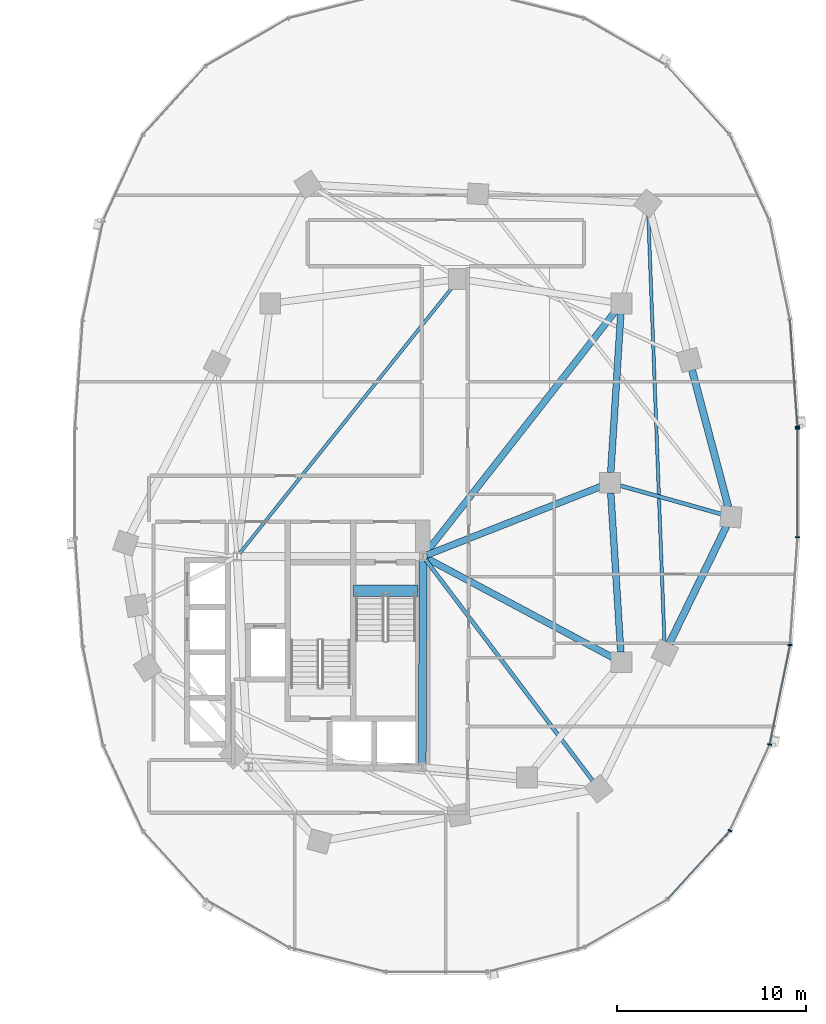
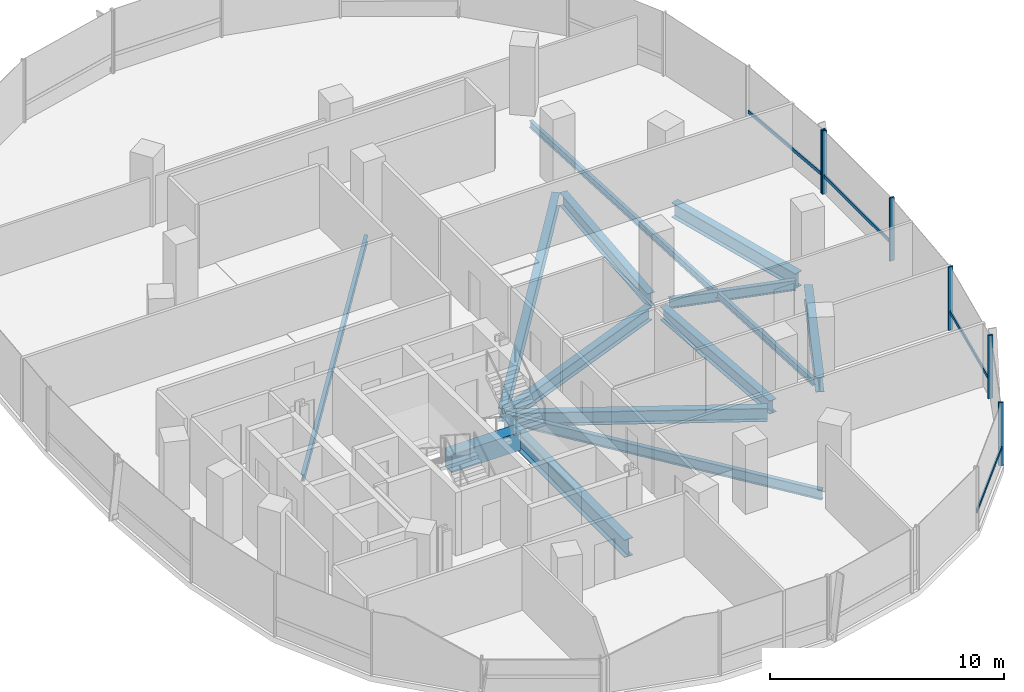
# One storey, part 6 of 21: 13 beams, 10 members, 2 elements without a shape of their own.
"""IFC4 building model written with IfcOpenShell, lengths in metres."""

from ifc_helpers import new_model, si_unit, direction, frame, origin, origin_2d, place, context, subcontext, project, spatial, rectangle, i_section, extrude, material, material_profile, profile_set, type_object, element, aggregate, save


model = new_model("IFC4")

# Units and contexts
model_context = context("Model", 3, precision=1e-05, world=origin(), true_north=direction((0.0, 1.0)))
body_context = subcontext(model_context, "Body", "Model", "MODEL_VIEW")
ifc_project = project(units=[si_unit("LENGTHUNIT", "METRE"), si_unit("AREAUNIT", "SQUARE_METRE"), si_unit("VOLUMEUNIT", "CUBIC_METRE"), si_unit("PLANEANGLEUNIT", "RADIAN"), si_unit("MASSUNIT", "GRAM", prefix="KILO"), si_unit("THERMODYNAMICTEMPERATUREUNIT", "KELVIN"), si_unit("POWERUNIT", "WATT")], contexts=[model_context])

# Site, building, storey
site_placement = place(None, origin())
site = spatial("IfcSite", under=ifc_project, at=site_placement, CompositionType="ELEMENT")
building_placement = place(site_placement, origin())
building = spatial("IfcBuilding", under=site, at=building_placement, Name="Cundina Bronze Exchange", CompositionType="ELEMENT")
storey_placement = place(building_placement, frame((0.0, 0.0, 114.199951171875)))
storey = spatial("IfcBuildingStorey", under=building, at=storey_placement, Name="L29", CompositionType="ELEMENT", Elevation=114.199951171875)

# Beams
ifc_material_1 = material(Name="Concrete C60/75", Category="concrete")
ifc_material_profile_1 = material_profile(ifc_material_1, rectangle(XDim=0.60009765625, YDim=0.949951171875, at=origin_2d()), Name="RC600X950", Category="concrete")
ifc_profile_set_1 = profile_set([ifc_material_profile_1], Name="Concrete C60/75")
beam_type_1 = type_object("IfcBeamType", Name="BM-COUP-RC950", PredefinedType="LINTEL", material=ifc_profile_set_1)
beam_1_placement = place(storey_placement, frame((27.6201171875, -5.719970703125, -0.474853515625), z_axis=(1.0, 0.0, 0.0), x_axis=(0.0, 1.0, 0.0)))
element("IfcBeam", 1, at=beam_1_placement, inside=storey, type_object=beam_type_1, Name="L29 Stair E1 Landing Header Beam", PredefinedType="LINTEL", context=body_context, shape_type="SweptSolid", body=[
    extrude(rectangle(XDim=0.60009765625, YDim=0.949951171875, at=origin_2d()), origin(), (0.0, 0.0, 1.0), 3.39990234375),
])
ifc_material_2 = material(Name="Steel ASTM A992 Grade 50", Category="steel")
ifc_material_profile_2 = material_profile(ifc_material_2, i_section(OverallWidth=0.2099609375, OverallDepth=0.532958984375, WebThickness=0.01025390625, FlangeThickness=0.015625, FilletRadius=0.013916015625, at=origin_2d()), Name="W21X62", Category="steel")
ifc_profile_set_2 = profile_set([ifc_material_profile_2], Name="Steel ASTM A992 Grade 50")
beam_type_2 = type_object("IfcBeamType", Name="BM-FLR-W21B", PredefinedType="BEAM", material=ifc_profile_set_2)
beam_2_placement = place(storey_placement, frame((31.423095703125, -4.062744140625, -0.56640625), z_axis=(0.603095885041, -0.797668699052, 0.0), x_axis=(0.797668699052, 0.603095885041, 0.0)))
element("IfcBeam", 2, at=beam_2_placement, inside=storey, type_object=beam_type_2, Name="L29 Leg E Chordal Floor Beam 06", PredefinedType="BEAM", context=body_context, shape_type="SweptSolid", body=[
    extrude(i_section(OverallWidth=0.2099609375, OverallDepth=0.532958984375, WebThickness=0.01025390625, FlangeThickness=0.015625, FilletRadius=0.013916015625, at=origin_2d()), origin(), (0.0, 0.0, 1.0), 14.677978515625),
])
beam_3_placement = place(storey_placement, frame((41.718017578125, -0.145751953125, -0.56640625), z_axis=(0.962654865541, -0.270731619598, 0.0), x_axis=(0.270731619598, 0.962654865541, 0.0)))
element("IfcBeam", 3, at=beam_3_placement, inside=storey, type_object=beam_type_2, Name="L29 Leg E Chordal Floor Beam 08", PredefinedType="BEAM", context=body_context, shape_type="SweptSolid", body=[
    extrude(i_section(OverallWidth=0.2099609375, OverallDepth=0.532958984375, WebThickness=0.01025390625, FlangeThickness=0.015625, FilletRadius=0.013916015625, at=origin_2d()), origin(), (0.0, 0.0, 1.0), 5.572021484375),
])
ifc_material_profile_3 = material_profile(ifc_material_2, i_section(OverallWidth=0.172119140625, OverallDepth=0.35791015625, WebThickness=0.0078125, FlangeThickness=0.01318359375, FilletRadius=0.010009765625, at=origin_2d()), Name="W14X38", Category="steel")
ifc_profile_set_3 = profile_set([ifc_material_profile_3], Name="Steel ASTM A992 Grade 50")
beam_type_3 = type_object("IfcBeamType", Name="BM-JST-W14", PredefinedType="JOIST", material=ifc_profile_set_3)
beam_4_placement = place(storey_placement, frame((21.577392578125, -3.740478515625, -0.47900390625), z_axis=(0.62436887964, 0.781129632095, 0.0), x_axis=(-0.781129632095, 0.62436887964, 0.0)))
element("IfcBeam", 4, at=beam_4_placement, inside=storey, type_object=beam_type_3, Name="L29 E Interior Core-to-Ring Joist 2", PredefinedType="JOIST", context=body_context, shape_type="SweptSolid", body=[
    extrude(i_section(OverallWidth=0.172119140625, OverallDepth=0.35791015625, WebThickness=0.0078125, FlangeThickness=0.01318359375, FilletRadius=0.010009765625, at=origin_2d()), origin(), (0.0, 0.0, 1.0), 18.076904296875),
])
beam_5_placement = place(storey_placement, frame((44.07958984375, -8.46240234375, -0.47900390625), z_axis=(-0.03778951385, 0.999285721224, 0.0), x_axis=(-0.999285721224, -0.03778951385, 0.0)))
element("IfcBeam", 5, at=beam_5_placement, inside=storey, type_object=beam_type_3, Name="L29 Leg E Lobe Floor Joist 07-10", PredefinedType="JOIST", context=body_context, shape_type="SweptSolid", body=[
    extrude(i_section(OverallWidth=0.172119140625, OverallDepth=0.35791015625, WebThickness=0.0078125, FlangeThickness=0.01318359375, FilletRadius=0.010009765625, at=origin_2d()), origin(), (0.0, 0.0, 1.0), 22.7412109375),
])
ifc_material_profile_4 = material_profile(ifc_material_2, i_section(OverallWidth=0.35498046875, OverallDepth=0.695068359375, WebThickness=0.015380859375, FlangeThickness=0.02490234375, FilletRadius=0.01806640625, at=origin_2d()), Name="W27X146", Category="steel")
ifc_profile_set_4 = profile_set([ifc_material_profile_4], Name="Steel ASTM A992 Grade 50")
beam_type_4 = type_object("IfcBeamType", Name="BM-RING-W27", PredefinedType="USERDEFINED", material=ifc_profile_set_4)
for number, where, z_axis, x_axis, name in (
    (6, (41.76611328125, -8.963134765625, -0.6474609375), (-0.06303715519, 0.998011180832, 0.0), (-0.998011180832, -0.06303715519, 0.0), "L29 E Inner Structural Ring Girder 03"),
    (7, (41.23388671875, 0.536865234375, -0.6474609375), (0.06303715519, 0.998011180832, 0.0), (-0.998011180832, 0.06303715519, 0.0), "L29 E Inner Structural Ring Girder 04"),
):
    element("IfcBeam", number, at=place(storey_placement, frame(where, z_axis=z_axis, x_axis=x_axis)), inside=storey, type_object=beam_type_4, Name=name, ObjectType="GIRDER", PredefinedType="USERDEFINED", context=body_context, shape_type="SweptSolid", body=[
        extrude(i_section(OverallWidth=0.35498046875, OverallDepth=0.695068359375, WebThickness=0.015380859375, FlangeThickness=0.02490234375, FilletRadius=0.01806640625, at=origin_2d()), origin(), (0.0, 0.0, 1.0), 8.443115234375),
    ])
beam_6_placement = place(storey_placement, frame((31.48974609375, -3.8251953125, -0.6474609375), z_axis=(0.930413235418, 0.366512225388, 0.0), x_axis=(-0.366512225388, 0.930413235418, 0.0)))
element("IfcBeam", 8, at=beam_6_placement, inside=storey, type_object=beam_type_4, Name="L29 E Core-to-Waist Tie Beam 1", ObjectType="GIRDER", PredefinedType="USERDEFINED", context=body_context, shape_type="SweptSolid", body=[
    extrude(i_section(OverallWidth=0.35498046875, OverallDepth=0.695068359375, WebThickness=0.015380859375, FlangeThickness=0.02490234375, FilletRadius=0.01806640625, at=origin_2d()), origin(), (0.0, 0.0, 1.0), 9.8984375),
])
beam_7_placement = place(storey_placement, frame((31.47998046875, -3.99609375, -0.6474609375), z_axis=(0.882354758239, -0.470584828286, 0.0), x_axis=(0.470584828286, 0.882354758239, 0.0)))
element("IfcBeam", 9, at=beam_7_placement, inside=storey, type_object=beam_type_4, Name="L29 E Core-to-Waist Tie Beam 2", ObjectType="GIRDER", PredefinedType="USERDEFINED", context=body_context, shape_type="SweptSolid", body=[
    extrude(i_section(OverallWidth=0.35498046875, OverallDepth=0.695068359375, WebThickness=0.015380859375, FlangeThickness=0.02490234375, FilletRadius=0.01806640625, at=origin_2d()), origin(), (0.0, 0.0, 1.0), 11.157958984375),
])
beam_8_placement = place(storey_placement, frame((31.42578125, -3.739501953125, -0.6474609375), z_axis=(0.616789275748, 0.787128318206, 0.0), x_axis=(-0.787128318206, 0.616789275748, 0.0)))
element("IfcBeam", 10, at=beam_8_placement, inside=storey, type_object=beam_type_4, Name="L29 E Core-to-Waist Tie Beam 3", ObjectType="GIRDER", PredefinedType="USERDEFINED", context=body_context, shape_type="SweptSolid", body=[
    extrude(i_section(OverallWidth=0.35498046875, OverallDepth=0.695068359375, WebThickness=0.015380859375, FlangeThickness=0.02490234375, FilletRadius=0.01806640625, at=origin_2d()), origin(), (0.0, 0.0, 1.0), 16.281982421875),
])
ifc_material_profile_5 = material_profile(ifc_material_2, i_section(OverallWidth=0.381103515625, OverallDepth=0.77294921875, WebThickness=0.0166015625, FlangeThickness=0.027099609375, FilletRadius=0.01904296875, at=origin_2d()), Name="W30X173", Category="steel")
ifc_profile_set_5 = profile_set([ifc_material_profile_5], Name="Steel ASTM A992 Grade 50")
beam_type_5 = type_object("IfcBeamType", Name="BM-RING-W30", PredefinedType="USERDEFINED", material=ifc_profile_set_5)
beam_9_placement = place(storey_placement, frame((44.335205078125, -8.51611328125, -0.6865234375), z_axis=(0.437193894283, 0.899367276924, 0.0), x_axis=(-0.899367276924, 0.437193894283, 0.0)))
element("IfcBeam", 11, at=beam_9_placement, inside=storey, type_object=beam_type_5, Name="L29 E Perimeter Ring Girder 07", ObjectType="GIRDER", PredefinedType="USERDEFINED", context=body_context, shape_type="SweptSolid", body=[
    extrude(i_section(OverallWidth=0.381103515625, OverallDepth=0.77294921875, WebThickness=0.0166015625, FlangeThickness=0.027099609375, FilletRadius=0.01904296875, at=origin_2d()), origin(), (0.0, 0.0, 1.0), 6.929443359375),
])
beam_10_placement = place(storey_placement, frame((47.462158203125, -1.280029296875, -0.6865234375), z_axis=(-0.256209719931, 0.966621218168, 0.0), x_axis=(-0.966621218168, -0.256209719931, 0.0)))
element("IfcBeam", 12, at=beam_10_placement, inside=storey, type_object=beam_type_5, Name="L29 E Perimeter Ring Girder 08", ObjectType="GIRDER", PredefinedType="USERDEFINED", context=body_context, shape_type="SweptSolid", body=[
    extrude(i_section(OverallWidth=0.381103515625, OverallDepth=0.77294921875, WebThickness=0.0166015625, FlangeThickness=0.027099609375, FilletRadius=0.01904296875, at=origin_2d()), origin(), (0.0, 0.0, 1.0), 7.5107421875),
])
ifc_material_profile_6 = material_profile(ifc_material_2, i_section(OverallWidth=0.41796875, OverallDepth=0.927001953125, WebThickness=0.019287109375, FlangeThickness=0.031982421875, FilletRadius=0.02392578125, at=origin_2d()), Name="W36X231", Category="steel")
ifc_profile_set_6 = profile_set([ifc_material_profile_6], Name="Steel ASTM A992 Grade 50")
beam_type_6 = type_object("IfcBeamType", Name="BM-WRN-W36B", PredefinedType="USERDEFINED", material=ifc_profile_set_6)
beam_11_placement = place(storey_placement, frame((31.2509765625, -14.845947265625, -0.763427734375), z_axis=(0.004477329608, 0.99998997671, 0.0), x_axis=(-0.99998997671, 0.004477329608, 0.0)))
element("IfcBeam", 13, at=beam_11_placement, inside=storey, type_object=beam_type_6, Name="L29 E Core Perimeter Tie Girder 4", ObjectType="GIRDER", PredefinedType="USERDEFINED", context=body_context, shape_type="SweptSolid", body=[
    extrude(i_section(OverallWidth=0.41796875, OverallDepth=0.927001953125, WebThickness=0.019287109375, FlangeThickness=0.031982421875, FilletRadius=0.02392578125, at=origin_2d()), origin(), (0.0, 0.0, 1.0), 10.741943359375),
])

# Curtain wall, member
ifc_material_3 = material(Name="Anodised Bronze Aluminium 6063-T6", Category="aluminium")
curtain_wall_type = type_object("IfcCurtainWallType", Name="CWS-TRD-MID", PredefinedType="NOTDEFINED", material=ifc_material_3)
curtain_wall_1_placement = place(storey_placement, origin())
curtain_wall_1 = element("IfcCurtainWall", 14, at=curtain_wall_1_placement, inside=storey, type_object=curtain_wall_type, Name="L29 CW-03 Curtain Wall Run CWR-L29-E1", PredefinedType="NOTDEFINED")
ifc_material_profile_7 = material_profile(ifc_material_3, rectangle(XDim=0.074951171875, YDim=0.219970703125, at=origin_2d()), Name="AL75X220", Category="aluminium")
ifc_profile_set_7 = profile_set([ifc_material_profile_7], Name="Anodised Bronze Aluminium 6063-T6")
member_type_1 = type_object("IfcMemberType", Name="CWM-MUL-220", PredefinedType="MULLION", material=ifc_profile_set_7)
member_1_placement = place(storey_placement, frame((51.12451171875, 2.976318359375, 0.0), z_axis=(0.0, 0.0, 1.0), x_axis=(-0.070278787473, 0.997527389113, 0.0)))
member_1 = element("IfcMember", 15, at=member_1_placement, type_object=member_type_1, Name="CW-03 Mullion 1", PredefinedType="MULLION", context=body_context, shape_type="SweptSolid", body=[
    extrude(rectangle(XDim=0.074951171875, YDim=0.219970703125, at=origin_2d()), origin(), (0.0, 0.0, 1.0), 3.300048828125),
])

# Curtain wall, members
curtain_wall_2_placement = place(storey_placement, origin())
curtain_wall_2 = element("IfcCurtainWall", 16, at=curtain_wall_2_placement, inside=storey, type_object=curtain_wall_type, Name="L29 CW-03 Curtain Wall Run CWR-L29-E4", PredefinedType="NOTDEFINED")
member_2_placement = place(storey_placement, frame((47.544189453125, -18.423583984375, 0.0), z_axis=(0.0, 0.0, 1.0), x_axis=(0.42087749791, 0.907117485088, 0.0)))
member_2 = element("IfcMember", 17, at=member_2_placement, type_object=member_type_1, Name="CW-03 Mullion 4", PredefinedType="MULLION", context=body_context, shape_type="SweptSolid", body=[
    extrude(rectangle(XDim=0.074951171875, YDim=0.219970703125, at=origin_2d()), origin(), (0.0, 0.0, 1.0), 3.300048828125),
])
member_3_placement = place(storey_placement, frame((49.651123046875, -13.861328125, 0.0), z_axis=(0.0, 0.0, 1.0), x_axis=(0.201419845156, 0.979505000486, 0.0)))
member_3 = element("IfcMember", 18, at=member_3_placement, type_object=member_type_1, Name="CW-03 Mullion 5", PredefinedType="MULLION", context=body_context, shape_type="SweptSolid", body=[
    extrude(rectangle(XDim=0.074951171875, YDim=0.219970703125, at=origin_2d()), origin(), (0.0, 0.0, 1.0), 3.300048828125),
])
member_4_placement = place(storey_placement, frame((50.72900390625, -8.591552734375, 0.0), z_axis=(0.0, 0.0, 1.0), x_axis=(0.070278787473, 0.997527389113, 0.0)))
member_4 = element("IfcMember", 19, at=member_4_placement, type_object=member_type_1, Name="CW-03 Mullion 6", PredefinedType="MULLION", context=body_context, shape_type="SweptSolid", body=[
    extrude(rectangle(XDim=0.074951171875, YDim=0.219970703125, at=origin_2d()), origin(), (0.0, 0.0, 1.0), 3.300048828125),
])
member_5_placement = place(storey_placement, frame((51.1279296875, -2.880615234375, 0.0), z_axis=(0.0, 0.0, 1.0), x_axis=(0.0, 1.0, 0.0)))
member_5 = element("IfcMember", 20, at=member_5_placement, type_object=member_type_1, Name="CW-03 Mullion 7", PredefinedType="MULLION", context=body_context, shape_type="SweptSolid", body=[
    extrude(rectangle(XDim=0.074951171875, YDim=0.219970703125, at=origin_2d()), origin(), (0.0, 0.0, 1.0), 3.300048828125),
])
member_6_placement = place(storey_placement, frame((51.1279296875, 2.880615234375, 0.0), z_axis=(0.0, 0.0, 1.0), x_axis=(0.0, 1.0, 0.0)))
member_6 = element("IfcMember", 21, at=member_6_placement, type_object=member_type_1, Name="CW-03 End Mullion", PredefinedType="MULLION", context=body_context, shape_type="SweptSolid", body=[
    extrude(rectangle(XDim=0.074951171875, YDim=0.219970703125, at=origin_2d()), origin(), (0.0, 0.0, 1.0), 3.300048828125),
])

# Member
ifc_material_profile_8 = material_profile(ifc_material_3, rectangle(XDim=0.070068359375, YDim=0.179931640625, at=origin_2d()), Name="AL70X180", Category="aluminium")
ifc_profile_set_8 = profile_set([ifc_material_profile_8], Name="Anodised Bronze Aluminium 6063-T6")
member_type_2 = type_object("IfcMemberType", Name="CWM-TRN-180", PredefinedType="USERDEFINED", material=ifc_profile_set_8)
member_7_placement = place(storey_placement, frame((51.12158203125, 3.017333984375, 0.920166015625), z_axis=(-0.070260714471, 0.997528662246, 0.0), x_axis=(-0.997528662246, -0.070260714471, 0.0)))
member_7 = element("IfcMember", 22, at=member_7_placement, type_object=member_type_2, Name="CW-03 Spandrel Transom 1", ObjectType="TRANSOM", PredefinedType="USERDEFINED", context=body_context, shape_type="SweptSolid", body=[
    extrude(rectangle(XDim=0.070068359375, YDim=0.179931640625, at=origin_2d()), origin(), (0.0, 0.0, 1.0), 5.629150390625),
])

aggregate(curtain_wall_1, [member_1, member_7])

member_8_placement = place(storey_placement, frame((44.26708984375, -22.027099609375, 0.920166015625), z_axis=(0.674302794847, 0.738454968743, 0.0), x_axis=(-0.738454968743, 0.674302794847, 0.0)))
member_8 = element("IfcMember", 23, at=member_8_placement, type_object=member_type_2, Name="CW-03 Spandrel Transom 3", ObjectType="TRANSOM", PredefinedType="USERDEFINED", context=body_context, shape_type="SweptSolid", body=[
    extrude(rectangle(XDim=0.070068359375, YDim=0.179931640625, at=origin_2d()), origin(), (0.0, 0.0, 1.0), 4.848388671875),
])

member_9_placement = place(storey_placement, frame((49.659423828125, -13.821044921875, 0.920166015625), z_axis=(0.201427712708, 0.979503382615, 0.0), x_axis=(-0.979503382615, 0.201427712708, 0.0)))
member_9 = element("IfcMember", 24, at=member_9_placement, type_object=member_type_2, Name="CW-03 Spandrel Transom 5", ObjectType="TRANSOM", PredefinedType="USERDEFINED", context=body_context, shape_type="SweptSolid", body=[
    extrude(rectangle(XDim=0.070068359375, YDim=0.179931640625, at=origin_2d()), origin(), (0.0, 0.0, 1.0), 5.291748046875),
])

member_10_placement = place(storey_placement, frame((51.1279296875, -2.839111328125, 0.920166015625), z_axis=(0.0, 1.0, 0.0), x_axis=(-1.0, 0.0, 0.0)))
member_10 = element("IfcMember", 25, at=member_10_placement, type_object=member_type_2, Name="CW-03 Spandrel Transom 7", ObjectType="TRANSOM", PredefinedType="USERDEFINED", context=body_context, shape_type="SweptSolid", body=[
    extrude(rectangle(XDim=0.070068359375, YDim=0.179931640625, at=origin_2d()), origin(), (0.0, 0.0, 1.0), 5.67822265625),
])

aggregate(curtain_wall_2, [member_8, member_2, member_3, member_9, member_4, member_5, member_6, member_10])

save(model, "model.ifc")
